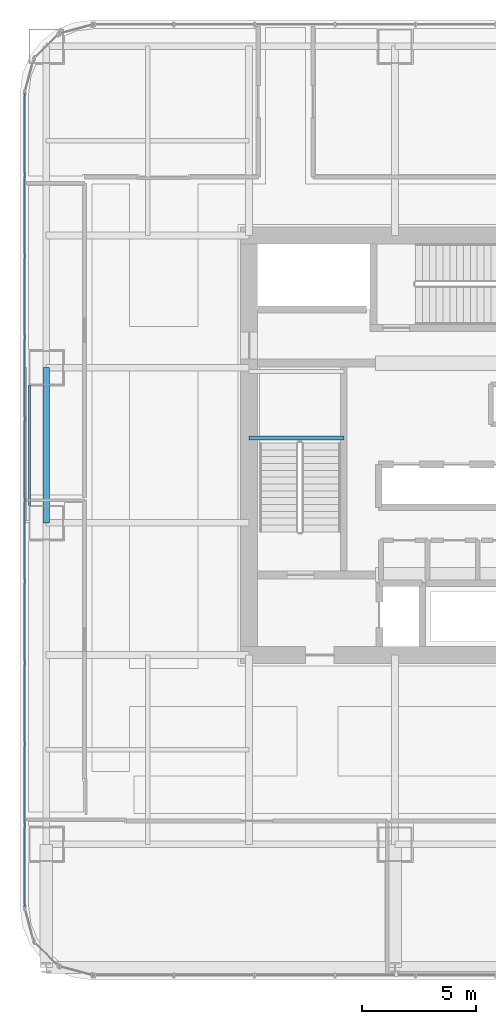
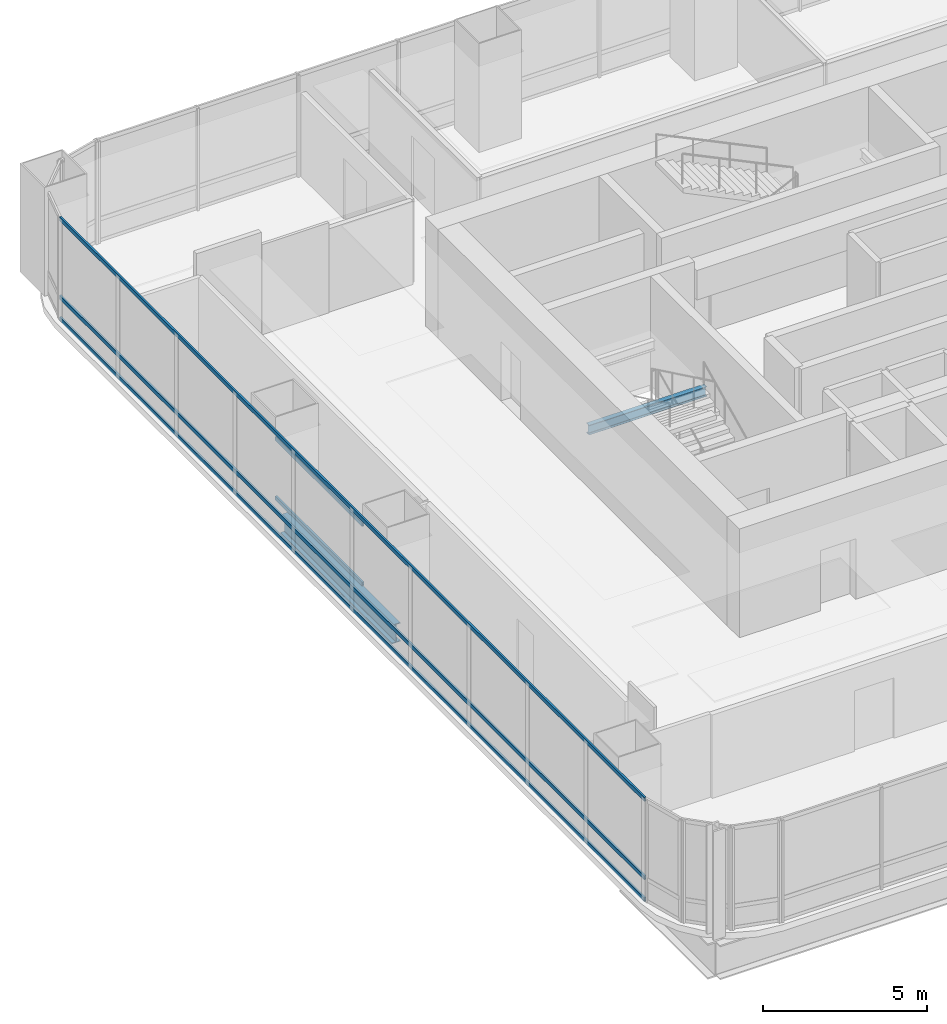
# One storey, part 9 of 35: 5 members, 2 beams, 1 element without a shape of its own.
"""IFC4 building model written with IfcOpenShell, lengths in metres."""

from ifc_helpers import new_model, si_unit, direction, frame, origin, origin_2d, place, context, subcontext, project, spatial, hollow_rectangle, i_section, extrude, material, material_profile, profile_set, type_object, element, aggregate, save


model = new_model("IFC4")

# Units and contexts
model_context = context("Model", 3, precision=1e-05, world=origin(), true_north=direction((0.0, 1.0)))
body_context = subcontext(model_context, "Body", "Model", "MODEL_VIEW")
ifc_project = project(units=[si_unit("LENGTHUNIT", "METRE"), si_unit("AREAUNIT", "SQUARE_METRE"), si_unit("VOLUMEUNIT", "CUBIC_METRE"), si_unit("PLANEANGLEUNIT", "RADIAN"), si_unit("MASSUNIT", "GRAM", prefix="KILO")], contexts=[model_context])

# Site, building, storey
site_placement = place(None, origin())
site = spatial("IfcSite", under=ifc_project, at=site_placement, CompositionType="ELEMENT")
building_placement = place(site_placement, origin())
building = spatial("IfcBuilding", under=site, at=building_placement, Name="Punatoya Terracotta Tower", CompositionType="ELEMENT")
storey_placement = place(building_placement, frame((0.0, 0.0, 64.64990234375)))
storey = spatial("IfcBuildingStorey", under=building, at=storey_placement, Name="L14", CompositionType="ELEMENT", Elevation=64.64990234375)

# Beams
ifc_material_1 = material(Name="Steel S355", Category="steel")
ifc_material_profile_1 = material_profile(ifc_material_1, i_section(OverallWidth=0.300048828125, OverallDepth=0.699951171875, WebThickness=0.01708984375, FlangeThickness=0.031982421875, FilletRadius=0.01806640625, at=origin_2d()))
ifc_profile_set_1 = profile_set([ifc_material_profile_1], Name="Steel S355")
beam_type_1 = type_object("IfcBeamType", Name="BM-PRI-700", PredefinedType="BEAM", material=ifc_profile_set_1)
beam_1_placement = place(storey_placement, frame((-19.10009765625, -3.39990234375, -0.58984375), z_axis=(0.0, 1.0, 0.0), x_axis=(-1.0, 0.0, 0.0)))
element("IfcBeam", 1, at=beam_1_placement, inside=storey, type_object=beam_type_1, Name="BM-L14-RG-W2", PredefinedType="BEAM", context=body_context, shape_type="SweptSolid", body=[
    extrude(i_section(OverallWidth=0.300048828125, OverallDepth=0.699951171875, WebThickness=0.01708984375, FlangeThickness=0.031982421875, FilletRadius=0.01806640625, at=origin_2d()), origin(), (0.0, 0.0, 1.0), 6.7998046875),
])
ifc_material_profile_2 = material_profile(ifc_material_1, i_section(OverallWidth=0.169921875, OverallDepth=0.360107421875, WebThickness=0.008056640625, FlangeThickness=0.0126953125, FilletRadius=0.01806640625, at=origin_2d()))
ifc_profile_set_2 = profile_set([ifc_material_profile_2], Name="Steel S355")
beam_type_2 = type_object("IfcBeamType", Name="BM-SEC-360", PredefinedType="JOIST", material=ifc_profile_set_2)
beam_2_placement = place(storey_placement, frame((-10.199951171875, 0.320068359375, 1.64501953125), z_axis=(1.0, 0.0, 0.0), x_axis=(0.0, 1.0, 0.0)))
element("IfcBeam", 2, at=beam_2_placement, inside=storey, type_object=beam_type_2, Name="BM-L14-ST-1-LD1A", PredefinedType="JOIST", context=body_context, shape_type="SweptSolid", body=[
    extrude(i_section(OverallWidth=0.169921875, OverallDepth=0.360107421875, WebThickness=0.008056640625, FlangeThickness=0.0126953125, FilletRadius=0.01806640625, at=origin_2d()), origin(), (0.0, 0.0, 1.0), 4.14990234375),
])

# Curtain wall, members
ifc_material_2 = material(Name="Aluminium 6063-T6 + Double Low-E Glass", Category="aluminium")
curtain_wall_type = type_object("IfcCurtainWallType", Name="CW-M1", PredefinedType="NOTDEFINED", material=ifc_material_2)
curtain_wall_placement = place(storey_placement, origin())
curtain_wall = element("IfcCurtainWall", 3, at=curtain_wall_placement, inside=storey, type_object=curtain_wall_type, Name="L14 Curtain Wall CW-L14-W13-1", PredefinedType="NOTDEFINED")
ifc_material_3 = material(Name="Aluminium 6063-T6", Category="aluminium")
ifc_material_profile_3 = material_profile(ifc_material_3, hollow_rectangle(XDim=0.068115234375, YDim=0.14990234375, WallThickness=0.00390625, at=origin_2d()))
ifc_profile_set_3 = profile_set([ifc_material_profile_3], Name="Aluminium 6063-T6")
member_type_1 = type_object("IfcMemberType", Name="CW-TRN-TYP", PredefinedType="USERDEFINED", material=ifc_profile_set_3)
member_1_placement = place(storey_placement, frame((-20.050048828125, 15.43701171875, 0.0400390625), z_axis=(0.0, -1.0, 0.0), x_axis=(1.0, 0.0, 0.0)))
member_1 = element("IfcMember", 4, at=member_1_placement, type_object=member_type_1, Name="CW-L14-W13-1 Transom 1", ObjectType="TRANSOM", PredefinedType="USERDEFINED", context=body_context, shape_type="SweptSolid", body=[
    extrude(hollow_rectangle(XDim=0.068115234375, YDim=0.14990234375, WallThickness=0.00390625, at=origin_2d()), origin(), (0.0, 0.0, 1.0), 35.673828125),
])
member_2_placement = place(storey_placement, frame((-20.050048828125, 15.43701171875, 0.85009765625), z_axis=(0.0, -1.0, 0.0), x_axis=(1.0, 0.0, 0.0)))
member_2 = element("IfcMember", 5, at=member_2_placement, type_object=member_type_1, Name="CW-L14-W13-1 Transom 2", ObjectType="TRANSOM", PredefinedType="USERDEFINED", context=body_context, shape_type="SweptSolid", body=[
    extrude(hollow_rectangle(XDim=0.068115234375, YDim=0.14990234375, WallThickness=0.00390625, at=origin_2d()), origin(), (0.0, 0.0, 1.0), 35.673828125),
])
member_3_placement = place(storey_placement, frame((-20.050048828125, 15.43701171875, 3.77001953125), z_axis=(0.0, -1.0, 0.0), x_axis=(1.0, 0.0, 0.0)))
member_3 = element("IfcMember", 6, at=member_3_placement, type_object=member_type_1, Name="CW-L14-W13-1 Transom 3", ObjectType="TRANSOM", PredefinedType="USERDEFINED", context=body_context, shape_type="SweptSolid", body=[
    extrude(hollow_rectangle(XDim=0.068115234375, YDim=0.14990234375, WallThickness=0.00390625, at=origin_2d()), origin(), (0.0, 0.0, 1.0), 35.673828125),
])
aggregate(curtain_wall, [member_1, member_2, member_3])

# Members
ifc_material_profile_4 = material_profile(ifc_material_1, hollow_rectangle(XDim=0.070068359375, YDim=0.139892578125, WallThickness=0.006103515625, at=origin_2d()))
ifc_profile_set_4 = profile_set([ifc_material_profile_4], Name="Steel S355")
member_type_2 = type_object("IfcMemberType", Name="MEM-BAG-RAIL", PredefinedType="USERDEFINED", material=ifc_profile_set_4)
for number, where, z_axis, x_axis, name in (
    (7, (-19.83203125, -2.650390625, 1.050048828125), (0.0, 1.0, 0.0), (-1.0, 0.0, 0.0), "L14 Terracotta Baguette Carrier Rail BAG-L14-W-R1"),
    (8, (-19.83203125, -2.650390625, 3.260009765625), (0.0, 1.0, 0.0), (-1.0, 0.0, 0.0), "L14 Terracotta Baguette Carrier Rail BAG-L14-W-R2"),
):
    element("IfcMember", number, at=place(storey_placement, frame(where, z_axis=z_axis, x_axis=x_axis)), inside=storey, type_object=member_type_2, Name=name, ObjectType="BAGUETTE", PredefinedType="USERDEFINED", context=body_context, shape_type="SweptSolid", body=[
        extrude(hollow_rectangle(XDim=0.070068359375, YDim=0.139892578125, WallThickness=0.006103515625, at=origin_2d()), origin(), (0.0, 0.0, 1.0), 5.30078125),
    ])

save(model, "model.ifc")
